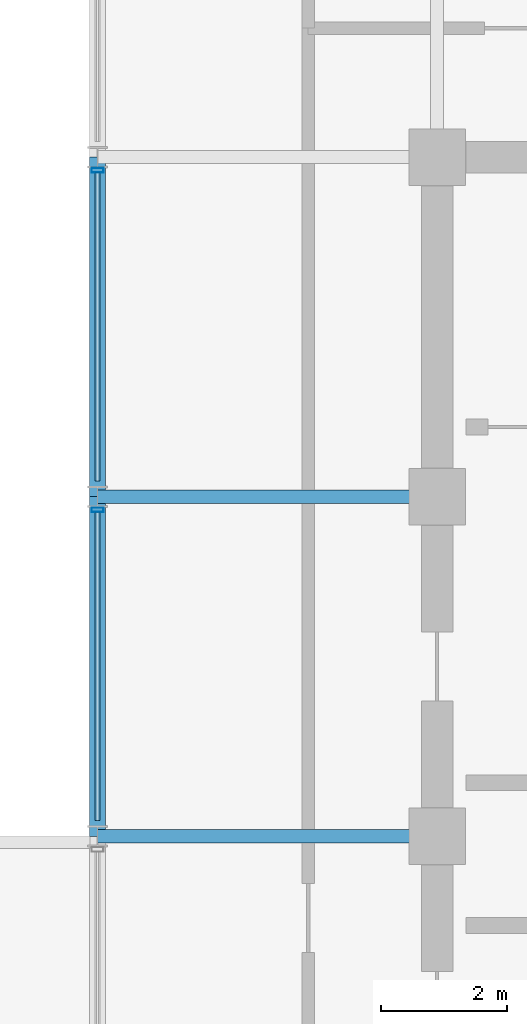
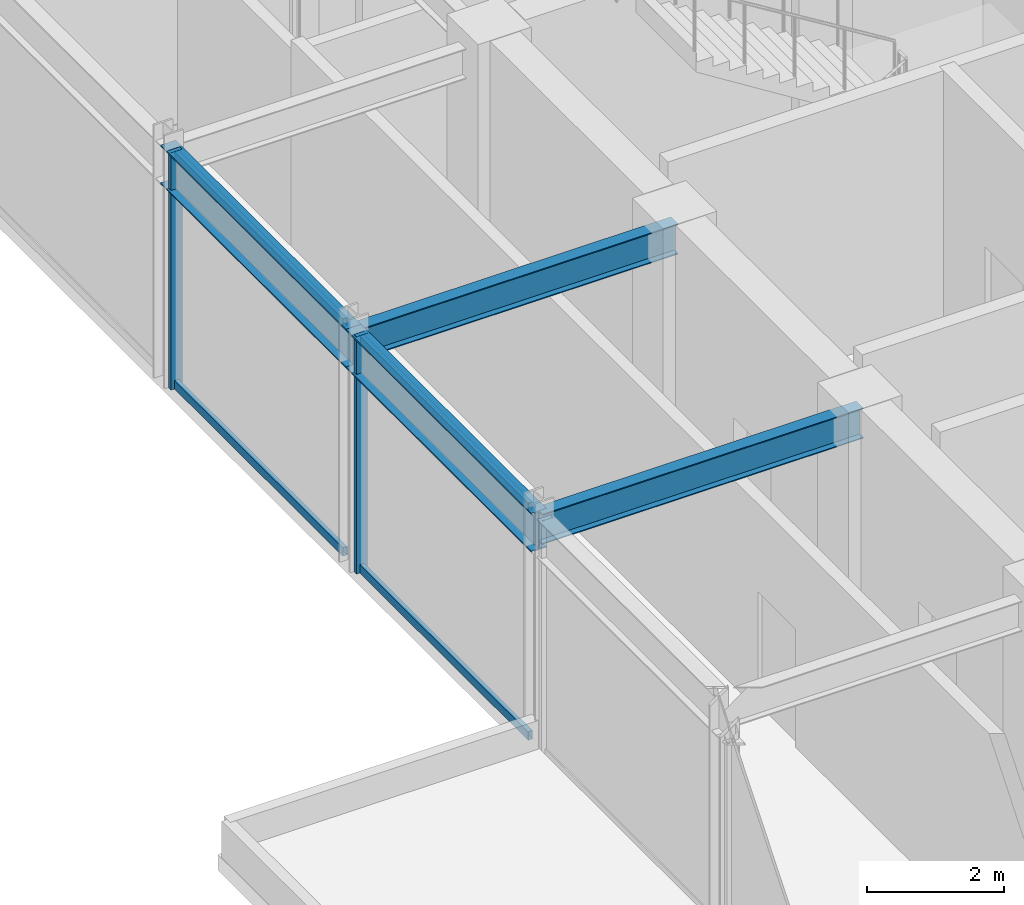
# One storey, part 6 of 18: 6 members, 4 beams, 1 element without a shape of its own.
"""IFC4 building model written with IfcOpenShell, lengths in metres."""

from ifc_helpers import new_model, si_unit, direction, frame, origin, origin_2d, place, context, subcontext, project, spatial, hollow_rectangle, i_section, extrude, material, layer, layer_set, material_profile, profile_set, type_object, element, aggregate, save


model = new_model("IFC4")

# Units and contexts
model_context = context("Model", 3, precision=1e-05, world=origin(), true_north=direction((0.0, 1.0)))
body_context = subcontext(model_context, "Body", "Model", "MODEL_VIEW")
ifc_project = project(units=[si_unit("LENGTHUNIT", "METRE"), si_unit("AREAUNIT", "SQUARE_METRE"), si_unit("VOLUMEUNIT", "CUBIC_METRE"), si_unit("PLANEANGLEUNIT", "RADIAN"), si_unit("MASSUNIT", "GRAM", prefix="KILO")], contexts=[model_context])

# Site, building, storey
site_placement = place(None, origin())
site = spatial("IfcSite", under=ifc_project, at=site_placement, CompositionType="ELEMENT")
building_placement = place(site_placement, origin())
building = spatial("IfcBuilding", under=site, at=building_placement, Name="Surkhivell Harbour Commons", CompositionType="ELEMENT")
storey_placement = place(building_placement, frame((0.0, 0.0, 351.0)))
storey = spatial("IfcBuildingStorey", under=building, at=storey_placement, Name="L91", CompositionType="ELEMENT", Elevation=351.0)

# Beams
ifc_material_1 = material(Name="Steel S355", Category="steel")
ifc_material_profile_1 = material_profile(ifc_material_1, i_section(OverallWidth=0.2099609375, OverallDepth=0.537109375, WebThickness=0.0107421875, FlangeThickness=0.017333984375, at=origin_2d()), Name="UB533x210x101")
ifc_profile_set_1 = profile_set([ifc_material_profile_1], Name="Steel S355")
beam_type_1 = type_object("IfcBeamType", Name="BM-GRD-533B", PredefinedType="BEAM", material=ifc_profile_set_1)
for number, where, z_axis, x_axis, name in (
    (1, (-16.199951171875, 0.0, 3.951416015625), (1.0, 0.0, 0.0), (0.0, 1.0, 0.0), "L91 Floor Girder (-16.2,0.0)"),
    (2, (-16.199951171875, 5.39990234375, 3.951416015625), (1.0, 0.0, 0.0), (0.0, 1.0, 0.0), "L91 Floor Girder (-16.2,5.4)"),
):
    element("IfcBeam", number, at=place(storey_placement, frame(where, z_axis=z_axis, x_axis=x_axis)), inside=storey, type_object=beam_type_1, Name=name, PredefinedType="BEAM", context=body_context, shape_type="SweptSolid", body=[
        extrude(i_section(OverallWidth=0.2099609375, OverallDepth=0.537109375, WebThickness=0.0107421875, FlangeThickness=0.017333984375, at=origin_2d()), origin(), (0.0, 0.0, 1.0), 5.39990234375),
    ])
ifc_material_profile_2 = material_profile(ifc_material_1, i_section(OverallWidth=0.256103515625, OverallDepth=0.693115234375, WebThickness=0.014404296875, FlangeThickness=0.023681640625, at=origin_2d()), Name="UB686x254x170")
ifc_profile_set_2 = profile_set([ifc_material_profile_2], Name="Steel S355")
beam_type_2 = type_object("IfcBeamType", Name="BM-SPN-686", PredefinedType="SPANDREL", material=ifc_profile_set_2)
beam_1_placement = place(storey_placement, frame((-16.199951171875, 0.0, 3.87353515625), z_axis=(0.0, 1.0, 0.0), x_axis=(-1.0, 0.0, 0.0)))
element("IfcBeam", 3, at=beam_1_placement, inside=storey, type_object=beam_type_2, Name="L91 Tube Spandrel (-16.2,0.0)", PredefinedType="SPANDREL", context=body_context, shape_type="SweptSolid", body=[
    extrude(i_section(OverallWidth=0.256103515625, OverallDepth=0.693115234375, WebThickness=0.014404296875, FlangeThickness=0.023681640625, at=origin_2d()), origin(), (0.0, 0.0, 1.0), 5.39990234375),
])
beam_2_placement = place(storey_placement, frame((-16.199951171875, 5.39990234375, 3.87353515625), z_axis=(0.0, 1.0, 0.0), x_axis=(-1.0, 0.0, 0.0)))
element("IfcBeam", 4, at=beam_2_placement, inside=storey, type_object=beam_type_2, Name="L91 Tube Spandrel (-16.2,5.4)", PredefinedType="SPANDREL", context=body_context, shape_type="SweptSolid", body=[
    extrude(i_section(OverallWidth=0.256103515625, OverallDepth=0.693115234375, WebThickness=0.014404296875, FlangeThickness=0.023681640625, at=origin_2d()), origin(), (0.0, 0.0, 1.0), 5.400146484375),
])

# Curtain wall, members
ifc_material_2 = material(Name="Anodised pale-metal aluminium and insulated glazing", Category="aluminium")
ifc_layer = layer(ifc_material_2, 0.22998046875)
ifc_layer_set = layer_set([ifc_layer], Name="Anodised pale-metal aluminium and insulated glazing")
curtain_wall_type = type_object("IfcCurtainWallType", Name="CW-SYS-CRN", PredefinedType="NOTDEFINED", material=ifc_layer_set)
curtain_wall_placement = place(storey_placement, origin())
curtain_wall = element("IfcCurtainWall", 5, at=curtain_wall_placement, inside=storey, type_object=curtain_wall_type, Name="L91 Curtain Wall CW-L91-C04S1", PredefinedType="NOTDEFINED")
ifc_material_3 = material(Name="Anodised pale-metal aluminium alloy 6063-T6", Category="aluminium")
ifc_material_profile_3 = material_profile(ifc_material_3, hollow_rectangle(XDim=0.074951171875, YDim=0.18994140625, WallThickness=0.00390625, at=origin_2d()), Name="ALU-MULL-75x190")
ifc_profile_set_3 = profile_set([ifc_material_profile_3], Name="Anodised pale-metal aluminium alloy 6063-T6")
member_type_1 = type_object("IfcMemberType", Name="CWM-190", PredefinedType="MULLION", material=ifc_profile_set_3)
member_1_placement = place(storey_placement, frame((-16.199951171875, 10.590576171875, 0.0), z_axis=(0.0, 0.0, 1.0), x_axis=(0.0, -1.0, 0.0)))
member_1 = element("IfcMember", 6, at=member_1_placement, type_object=member_type_1, Name="CW-CRN mullion 2", PredefinedType="MULLION", context=body_context, shape_type="SweptSolid", body=[
    extrude(hollow_rectangle(XDim=0.074951171875, YDim=0.18994140625, WallThickness=0.00390625, at=origin_2d()), origin(), (0.0, 0.0, 1.0), 4.219970703125),
])
member_2_placement = place(storey_placement, frame((-16.199951171875, 5.1904296875, 0.0), z_axis=(0.0, 0.0, 1.0), x_axis=(0.0, -1.0, 0.0)))
member_2 = element("IfcMember", 7, at=member_2_placement, type_object=member_type_1, Name="CW-CRN mullion 3", PredefinedType="MULLION", context=body_context, shape_type="SweptSolid", body=[
    extrude(hollow_rectangle(XDim=0.074951171875, YDim=0.18994140625, WallThickness=0.00390625, at=origin_2d()), origin(), (0.0, 0.0, 1.0), 4.219970703125),
])
ifc_material_profile_4 = material_profile(ifc_material_3, hollow_rectangle(XDim=0.074951171875, YDim=0.14990234375, WallThickness=0.00341796875, at=origin_2d()), Name="ALU-TRAN-75x150")
ifc_profile_set_4 = profile_set([ifc_material_profile_4], Name="Anodised pale-metal aluminium alloy 6063-T6")
member_type_2 = type_object("IfcMemberType", Name="CWT-150", PredefinedType="USERDEFINED", material=ifc_profile_set_4)
member_3_placement = place(storey_placement, frame((-16.199951171875, 10.552978515625, 0.074951171875), z_axis=(0.0, -1.0, 0.0), x_axis=(1.0, 0.0, 0.0)))
member_3 = element("IfcMember", 8, at=member_3_placement, type_object=member_type_2, Name="CW-CRN transom 2.1", ObjectType="TRANSOM", PredefinedType="USERDEFINED", context=body_context, shape_type="SweptSolid", body=[
    extrude(hollow_rectangle(XDim=0.074951171875, YDim=0.14990234375, WallThickness=0.00341796875, at=origin_2d()), origin(), (0.0, 0.0, 1.0), 4.906005859375),
])
member_4_placement = place(storey_placement, frame((-16.199951171875, 10.552978515625, 4.14501953125), z_axis=(0.0, -1.0, 0.0), x_axis=(1.0, 0.0, 0.0)))
member_4 = element("IfcMember", 9, at=member_4_placement, type_object=member_type_2, Name="CW-CRN transom 2.2", ObjectType="TRANSOM", PredefinedType="USERDEFINED", context=body_context, shape_type="SweptSolid", body=[
    extrude(hollow_rectangle(XDim=0.074951171875, YDim=0.14990234375, WallThickness=0.00341796875, at=origin_2d()), origin(), (0.0, 0.0, 1.0), 4.906005859375),
])
member_5_placement = place(storey_placement, frame((-16.199951171875, 5.153076171875, 0.074951171875), z_axis=(0.0, -1.0, 0.0), x_axis=(1.0, 0.0, 0.0)))
member_5 = element("IfcMember", 10, at=member_5_placement, type_object=member_type_2, Name="CW-CRN transom 3.1", ObjectType="TRANSOM", PredefinedType="USERDEFINED", context=body_context, shape_type="SweptSolid", body=[
    extrude(hollow_rectangle(XDim=0.074951171875, YDim=0.14990234375, WallThickness=0.00341796875, at=origin_2d()), origin(), (0.0, 0.0, 1.0), 4.906005859375),
])
member_6_placement = place(storey_placement, frame((-16.199951171875, 5.153076171875, 4.14501953125), z_axis=(0.0, -1.0, 0.0), x_axis=(1.0, 0.0, 0.0)))
member_6 = element("IfcMember", 11, at=member_6_placement, type_object=member_type_2, Name="CW-CRN transom 3.2", ObjectType="TRANSOM", PredefinedType="USERDEFINED", context=body_context, shape_type="SweptSolid", body=[
    extrude(hollow_rectangle(XDim=0.074951171875, YDim=0.14990234375, WallThickness=0.00341796875, at=origin_2d()), origin(), (0.0, 0.0, 1.0), 4.906005859375),
])
aggregate(curtain_wall, [member_1, member_3, member_4, member_2, member_5, member_6])

save(model, "model.ifc")
